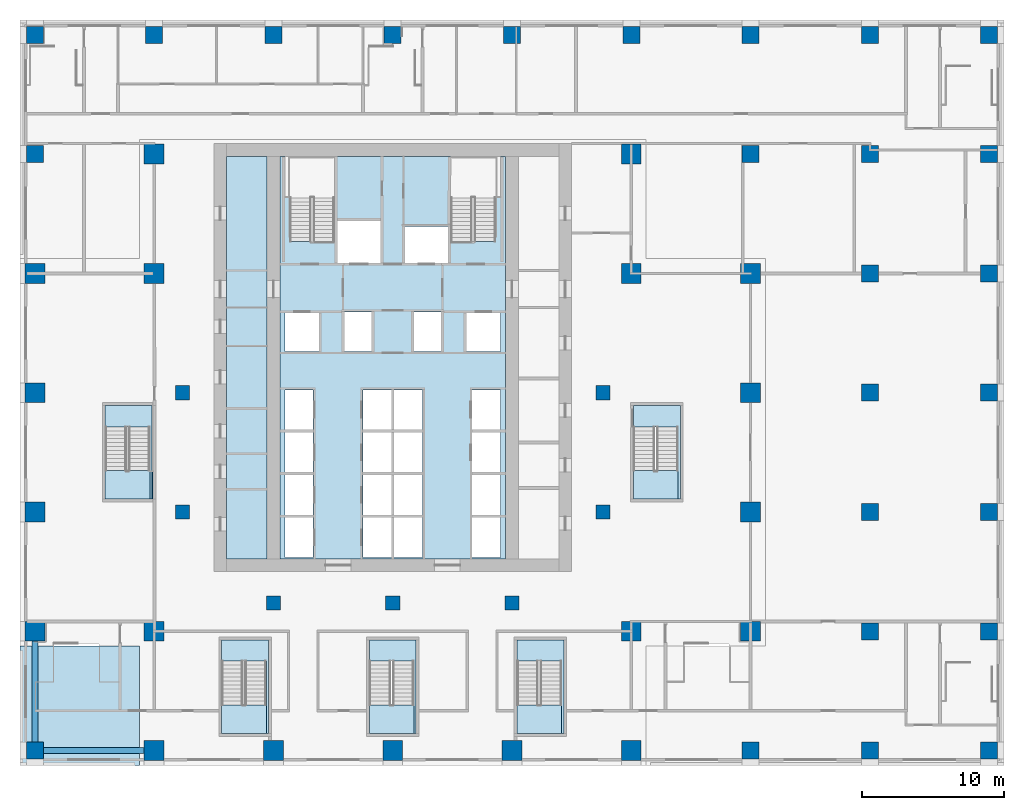
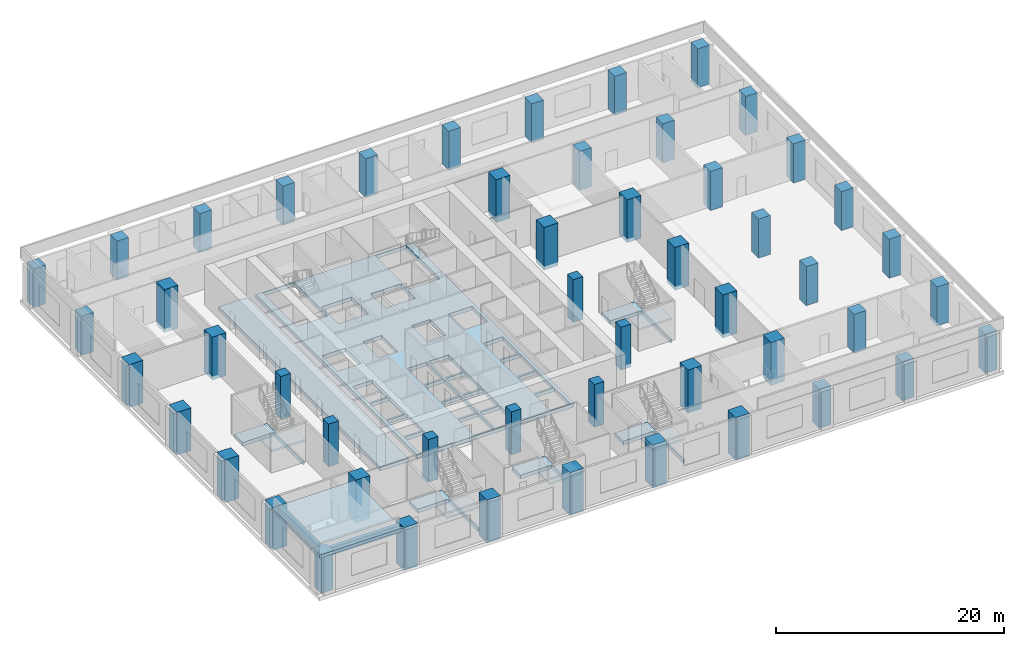
# One storey, part 1 of 16: 51 columns, 13 slabs, 2 beams, 5 elements without a shape of their own.
"""IFC4 building model written with IfcOpenShell, lengths in metres."""

from ifc_helpers import new_model, si_unit, direction, frame, origin, origin_2d, place, context, subcontext, project, spatial, polyline, rectangle, outline, extrude, material, layer, layer_set, material_profile, profile_set, type_object, element, aggregate, save


model = new_model("IFC4")

# Units and contexts
model_context = context("Model", 3, precision=1e-05, world=origin(), true_north=direction((0.0, 1.0)))
body_context = subcontext(model_context, "Body", "Model", "MODEL_VIEW")
ifc_project = project(units=[si_unit("LENGTHUNIT", "METRE"), si_unit("AREAUNIT", "SQUARE_METRE"), si_unit("VOLUMEUNIT", "CUBIC_METRE"), si_unit("PLANEANGLEUNIT", "RADIAN"), si_unit("MASSUNIT", "GRAM", prefix="KILO")], contexts=[model_context])

# Site, building, storey
site_placement = place(None, origin())
site = spatial("IfcSite", under=ifc_project, at=site_placement, CompositionType="ELEMENT")
building_placement = place(site_placement, origin())
building = spatial("IfcBuilding", under=site, at=building_placement, Name="Vermilion Ogive Tower", CompositionType="ELEMENT")
storey_placement = place(building_placement, frame((0.0, 0.0, 30.0)))
storey = spatial("IfcBuildingStorey", under=building, at=storey_placement, Name="L05", CompositionType="ELEMENT", Elevation=30.0)

# Columns
ifc_material_1 = material(Name="Concrete B80", Category="concrete")
ifc_material_profile_1 = material_profile(ifc_material_1, rectangle(XDim=1.39990234375, YDim=1.39990234375, at=origin_2d()), Name="1400 x 1400")
ifc_profile_set_1 = profile_set([ifc_material_profile_1], Name="Concrete B80")
column_type_1 = type_object("IfcColumnType", Name="Perimeter column 1400 x 1400 B80", PredefinedType="COLUMN", material=ifc_profile_set_1)
for number, where, z_axis, x_axis, name in (
    (1, (-16.800048828125, -21.0, -0.39990234375), (0.0, 0.0, 1.0), (1.0, 0.0, 0.0), "COL-L05-P-0168-210"),
    (2, (-8.39990234375, -21.0, -0.39990234375), (0.0, 0.0, 1.0), (1.0, 0.0, 0.0), "COL-L05-P-0084-210"),
    (3, (0.0, -21.0, -0.39990234375), (0.0, 0.0, 1.0), (1.0, 0.0, 0.0), "COL-L05-P+0000-210"),
    (4, (8.39990234375, -21.0, -0.39990234375), (0.0, 0.0, 1.0), (1.0, 0.0, 0.0), "COL-L05-P+0084-210"),
    (5, (16.800048828125, -21.0, -0.39990234375), (0.0, 0.0, 1.0), (1.0, 0.0, 0.0), "COL-L05-P+0168-210"),
    (6, (-25.199951171875, -12.60009765625, -0.39990234375), (0.0, 0.0, 1.0), (1.0, 0.0, 0.0), "COL-L05-P-0252-126"),
    (7, (-16.800048828125, -12.60009765625, -0.39990234375), (0.0, 0.0, 1.0), (1.0, 0.0, 0.0), "COL-L05-P-0168-126"),
    (8, (16.800048828125, -12.60009765625, -0.39990234375), (0.0, 0.0, 1.0), (1.0, 0.0, 0.0), "COL-L05-P+0168-126"),
    (9, (25.199951171875, -12.60009765625, -0.39990234375), (0.0, 0.0, 1.0), (1.0, 0.0, 0.0), "COL-L05-P+0252-126"),
    (10, (-25.199951171875, -4.199951171875, -0.39990234375), (0.0, 0.0, 1.0), (1.0, 0.0, 0.0), "COL-L05-P-0252-042"),
    (11, (25.199951171875, -4.199951171875, -0.39990234375), (0.0, 0.0, 1.0), (1.0, 0.0, 0.0), "COL-L05-P+0252-042"),
    (12, (-25.199951171875, 4.199951171875, -0.39990234375), (0.0, 0.0, 1.0), (1.0, 0.0, 0.0), "COL-L05-P-0252+042"),
    (13, (25.199951171875, 4.199951171875, -0.39990234375), (0.0, 0.0, 1.0), (1.0, 0.0, 0.0), "COL-L05-P+0252+042"),
    (14, (-25.199951171875, 12.60009765625, -0.39990234375), (0.0, 0.0, 1.0), (1.0, 0.0, 0.0), "COL-L05-P-0252+126"),
    (15, (-16.800048828125, 12.60009765625, -0.39990234375), (0.0, 0.0, 1.0), (1.0, 0.0, 0.0), "COL-L05-P-0168+126"),
    (16, (16.800048828125, 12.60009765625, -0.39990234375), (0.0, 0.0, 1.0), (1.0, 0.0, 0.0), "COL-L05-P+0168+126"),
    (17, (25.199951171875, 12.60009765625, -0.39990234375), (0.0, 0.0, 1.0), (1.0, 0.0, 0.0), "COL-L05-P+0252+126"),
    (18, (-16.800048828125, 21.0, -0.39990234375), (0.0, 0.0, 1.0), (1.0, 0.0, 0.0), "COL-L05-P-0168+210"),
    (19, (16.800048828125, 21.0, -0.39990234375), (0.0, 0.0, 1.0), (1.0, 0.0, 0.0), "COL-L05-P+0168+210"),
):
    element("IfcColumn", number, at=place(storey_placement, frame(where, z_axis=z_axis, x_axis=x_axis)), inside=storey, type_object=column_type_1, Name=name, PredefinedType="COLUMN", context=body_context, shape_type="SweptSolid", body=[
        extrude(rectangle(XDim=1.39990234375, YDim=1.39990234375, at=origin_2d()), origin(), (0.0, 0.0, 1.0), 4.579833984375),
    ])
ifc_material_2 = material(Name="Concrete B60", Category="concrete")
ifc_material_profile_2 = material_profile(ifc_material_2, rectangle(XDim=1.199951171875, YDim=1.199951171875, at=origin_2d()), Name="RC 1200x1200")
ifc_profile_set_2 = profile_set([ifc_material_profile_2], Name="Concrete B60")
column_type_2 = type_object("IfcColumnType", Name="Podium column RC 1200", PredefinedType="COLUMN", material=ifc_profile_set_2)
for number, where, z_axis, x_axis, name in (
    (20, (-25.199951171875, -21.0, 0.0), (0.0, 0.0, 1.0), (1.0, 0.0, 0.0), "Column 1.2 L05"),
    (21, (25.199951171875, -21.0, 0.0), (0.0, 0.0, 1.0), (1.0, 0.0, 0.0), "Column 1.2 L05"),
    (22, (33.60009765625, -21.0, 0.0), (0.0, 0.0, 1.0), (1.0, 0.0, 0.0), "Column 1.2 L05"),
    (23, (42.0, -21.0, 0.0), (0.0, 0.0, 1.0), (1.0, 0.0, 0.0), "Column 1.2 L05"),
    (24, (33.60009765625, -12.60009765625, 0.0), (0.0, 0.0, 1.0), (1.0, 0.0, 0.0), "Column 1.2 L05"),
    (25, (42.0, -12.60009765625, 0.0), (0.0, 0.0, 1.0), (1.0, 0.0, 0.0), "Column 1.2 L05"),
    (26, (33.60009765625, -4.199951171875, 0.0), (0.0, 0.0, 1.0), (1.0, 0.0, 0.0), "Column 1.2 L05"),
    (27, (42.0, -4.199951171875, 0.0), (0.0, 0.0, 1.0), (1.0, 0.0, 0.0), "Column 1.2 L05"),
    (28, (33.60009765625, 4.199951171875, 0.0), (0.0, 0.0, 1.0), (1.0, 0.0, 0.0), "Column 1.2 L05"),
    (29, (42.0, 4.199951171875, 0.0), (0.0, 0.0, 1.0), (1.0, 0.0, 0.0), "Column 1.2 L05"),
    (30, (33.60009765625, 12.60009765625, 0.0), (0.0, 0.0, 1.0), (1.0, 0.0, 0.0), "Column 1.2 L05"),
    (31, (42.0, 12.60009765625, 0.0), (0.0, 0.0, 1.0), (1.0, 0.0, 0.0), "Column 1.2 L05"),
    (32, (-25.199951171875, 21.0, 0.0), (0.0, 0.0, 1.0), (1.0, 0.0, 0.0), "Column 1.2 L05"),
    (33, (25.199951171875, 21.0, 0.0), (0.0, 0.0, 1.0), (1.0, 0.0, 0.0), "Column 1.2 L05"),
    (34, (33.60009765625, 21.0, 0.0), (0.0, 0.0, 1.0), (1.0, 0.0, 0.0), "Column 1.2 L05"),
    (35, (42.0, 21.0, 0.0), (0.0, 0.0, 1.0), (1.0, 0.0, 0.0), "Column 1.2 L05"),
    (36, (-25.199951171875, 29.39990234375, 0.0), (0.0, 0.0, 1.0), (1.0, 0.0, 0.0), "Column 1.2 L05"),
    (37, (-16.800048828125, 29.39990234375, 0.0), (0.0, 0.0, 1.0), (1.0, 0.0, 0.0), "Column 1.2 L05"),
    (38, (-8.39990234375, 29.39990234375, 0.0), (0.0, 0.0, 1.0), (1.0, 0.0, 0.0), "Column 1.2 L05"),
    (39, (0.0, 29.39990234375, 0.0), (0.0, 0.0, 1.0), (1.0, 0.0, 0.0), "Column 1.2 L05"),
    (40, (8.39990234375, 29.39990234375, 0.0), (0.0, 0.0, 1.0), (1.0, 0.0, 0.0), "Column 1.2 L05"),
    (41, (16.800048828125, 29.39990234375, 0.0), (0.0, 0.0, 1.0), (1.0, 0.0, 0.0), "Column 1.2 L05"),
    (42, (25.199951171875, 29.39990234375, 0.0), (0.0, 0.0, 1.0), (1.0, 0.0, 0.0), "Column 1.2 L05"),
    (43, (33.60009765625, 29.39990234375, 0.0), (0.0, 0.0, 1.0), (1.0, 0.0, 0.0), "Column 1.2 L05"),
    (44, (42.0, 29.39990234375, 0.0), (0.0, 0.0, 1.0), (1.0, 0.0, 0.0), "Column 1.2 L05"),
):
    element("IfcColumn", number, at=place(storey_placement, frame(where, z_axis=z_axis, x_axis=x_axis)), inside=storey, type_object=column_type_2, Name=name, PredefinedType="COLUMN", context=body_context, shape_type="SweptSolid", body=[
        extrude(rectangle(XDim=1.199951171875, YDim=1.199951171875, at=origin_2d()), origin(), (0.0, 0.0, 1.0), 4.179931640625),
    ])
ifc_material_3 = material(Name="Concrete B80", Category="concrete")
ifc_material_profile_3 = material_profile(ifc_material_3, rectangle(XDim=1.0, YDim=1.0, at=origin_2d()), Name="1000 x 1000")
ifc_profile_set_3 = profile_set([ifc_material_profile_3], Name="Concrete B80")
column_type_3 = type_object("IfcColumnType", Name="Ring column 1000 x 1000 B80", PredefinedType="COLUMN", material=ifc_profile_set_3)
for number, where, z_axis, x_axis, name in (
    (45, (-8.39990234375, -10.60009765625, -0.39990234375), (0.0, 0.0, 1.0), (1.0, 0.0, 0.0), "COL-L05-R-0084-106"),
    (46, (0.0, -10.60009765625, -0.39990234375), (0.0, 0.0, 1.0), (1.0, 0.0, 0.0), "COL-L05-R+0000-106"),
    (47, (8.39990234375, -10.60009765625, -0.39990234375), (0.0, 0.0, 1.0), (1.0, 0.0, 0.0), "COL-L05-R+0084-106"),
    (48, (-14.800048828125, -4.199951171875, -0.39990234375), (0.0, 0.0, 1.0), (1.0, 0.0, 0.0), "COL-L05-R-0148-042"),
    (49, (14.800048828125, -4.199951171875, -0.39990234375), (0.0, 0.0, 1.0), (1.0, 0.0, 0.0), "COL-L05-R+0148-042"),
    (50, (-14.800048828125, 4.199951171875, -0.39990234375), (0.0, 0.0, 1.0), (1.0, 0.0, 0.0), "COL-L05-R-0148+042"),
    (51, (14.800048828125, 4.199951171875, -0.39990234375), (0.0, 0.0, 1.0), (1.0, 0.0, 0.0), "COL-L05-R+0148+042"),
):
    element("IfcColumn", number, at=place(storey_placement, frame(where, z_axis=z_axis, x_axis=x_axis)), inside=storey, type_object=column_type_3, Name=name, PredefinedType="COLUMN", context=body_context, shape_type="SweptSolid", body=[
        extrude(rectangle(XDim=1.0, YDim=1.0, at=origin_2d()), origin(), (0.0, 0.0, 1.0), 4.579833984375),
    ])

# Beams
ifc_material_4 = material(Name="Concrete B45", Category="concrete")
ifc_material_profile_4 = material_profile(ifc_material_4, rectangle(XDim=0.39990234375, YDim=0.800048828125, at=origin_2d()), Name="RC 400x800")
ifc_profile_set_4 = profile_set([ifc_material_profile_4], Name="Concrete B45")
beam_type = type_object("IfcBeamType", Name="Terrace roof beam TB1 400x800", PredefinedType="BEAM", material=ifc_profile_set_4)
beam_1_placement = place(storey_placement, frame((-25.199951171875, -20.39990234375, 3.780029296875), z_axis=(0.0, 1.0, 0.0), x_axis=(-1.0, 0.0, 0.0)))
element("IfcBeam", 52, at=beam_1_placement, inside=storey, type_object=beam_type, Name="Terrace roof beam L05 1-1", PredefinedType="BEAM", context=body_context, shape_type="SweptSolid", body=[
    extrude(rectangle(XDim=0.39990234375, YDim=0.800048828125, at=origin_2d()), origin(), (0.0, 0.0, 1.0), 7.099853515625),
])
beam_2_placement = place(storey_placement, frame((-24.60009765625, -21.0, 3.780029296875), z_axis=(1.0, 0.0, 0.0), x_axis=(0.0, 1.0, 0.0)))
element("IfcBeam", 53, at=beam_2_placement, inside=storey, type_object=beam_type, Name="Terrace roof beam L05 1-2", PredefinedType="BEAM", context=body_context, shape_type="SweptSolid", body=[
    extrude(rectangle(XDim=0.39990234375, YDim=0.800048828125, at=origin_2d()), origin(), (0.0, 0.0, 1.0), 7.10009765625),
])

# Slabs
ifc_material_5 = material(Name="Concrete B40", Category="concrete")
ifc_layer_1 = layer(ifc_material_5, 0.39990234375)
ifc_layer_set_1 = layer_set([ifc_layer_1], Name="Core floor slab 400 B40")
slab_type_1 = type_object("IfcSlabType", Name="Core floor slab 400 B40", PredefinedType="FLOOR", material=ifc_layer_set_1)
slab_1_placement = place(storey_placement, frame((0.0, 0.0, -0.39990234375)))
element("IfcSlab", 54, at=slab_1_placement, inside=storey, type_object=slab_type_1, Name="L05-CK-FS1", PredefinedType="FLOOR", context=body_context, shape_type="SweptSolid", body=[
    extrude(outline(polyline([(-8.85400390625, -7.49609375), (-11.696044921875, -7.49609375), (-11.696044921875, 20.845947265625), (-8.85400390625, 20.845947265625), (-8.85400390625, -7.49609375)])), origin(), (0.0, 0.0, 1.0), 0.39990234375),
])
slab_2_placement = place(storey_placement, frame((0.0, 0.0, -0.39990234375)))
element("IfcSlab", 55, at=slab_2_placement, inside=storey, type_object=slab_type_1, Name="L05-CK-FS2", PredefinedType="FLOOR", context=body_context, shape_type="SweptSolid", body=[
    extrude(outline(polyline([(-7.946044921875, 20.845947265625), (-7.946044921875, -7.49609375), (7.946044921875, -7.49609375), (7.946044921875, 20.845947265625), (-7.946044921875, 20.845947265625)]), holes=[polyline([(-5.60009765625, -7.39990234375), (-7.60009765625, -7.39990234375), (-7.60009765625, -4.60009765625), (-5.60009765625, -4.60009765625), (-5.60009765625, -7.39990234375)]), polyline([(-0.10009765625, -7.39990234375), (-2.10009765625, -7.39990234375), (-2.10009765625, -4.60009765625), (-0.10009765625, -4.60009765625), (-0.10009765625, -7.39990234375)]), polyline([(-5.60009765625, -4.39990234375), (-7.60009765625, -4.39990234375), (-7.60009765625, -1.60009765625), (-5.60009765625, -1.60009765625), (-5.60009765625, -4.39990234375)]), polyline([(-0.10009765625, -4.39990234375), (-2.10009765625, -4.39990234375), (-2.10009765625, -1.60009765625), (-0.10009765625, -1.60009765625), (-0.10009765625, -4.39990234375)]), polyline([(-5.60009765625, -1.39990234375), (-7.60009765625, -1.39990234375), (-7.60009765625, 1.39990234375), (-5.60009765625, 1.39990234375), (-5.60009765625, -1.39990234375)]), polyline([(-0.10009765625, -1.39990234375), (-2.10009765625, -1.39990234375), (-2.10009765625, 1.39990234375), (-0.10009765625, 1.39990234375), (-0.10009765625, -1.39990234375)]), polyline([(-5.60009765625, 1.60009765625), (-7.60009765625, 1.60009765625), (-7.60009765625, 4.39990234375), (-5.60009765625, 4.39990234375), (-5.60009765625, 1.60009765625)]), polyline([(-0.10009765625, 1.60009765625), (-2.10009765625, 1.60009765625), (-2.10009765625, 4.39990234375), (-0.10009765625, 4.39990234375), (-0.10009765625, 1.60009765625)]), polyline([(-5.199951171875, 7.10009765625), (-7.60009765625, 7.10009765625), (-7.60009765625, 9.800048828125), (-5.199951171875, 9.800048828125), (-5.199951171875, 7.10009765625)]), polyline([(-1.5, 7.10009765625), (-3.39990234375, 7.10009765625), (-3.39990234375, 9.89990234375), (-1.5, 9.89990234375), (-1.5, 7.10009765625)]), polyline([(-0.85009765625, 13.35009765625), (-3.89990234375, 13.35009765625), (-3.89990234375, 16.300048828125), (-0.85009765625, 16.300048828125), (-0.85009765625, 13.35009765625)]), polyline([(-7.25, 14.85205078125), (-7.25, 20.75), (-4.10009765625, 20.75), (-4.10009765625, 14.85205078125), (-5.60009765625, 14.85205078125), (-5.60009765625, 14.85009765625), (-5.75, 14.85009765625), (-5.75, 14.85205078125), (-7.25, 14.85205078125)]), polyline([(2.10009765625, -7.39990234375), (0.10009765625, -7.39990234375), (0.10009765625, -4.60009765625), (2.10009765625, -4.60009765625), (2.10009765625, -7.39990234375)]), polyline([(7.60009765625, -7.39990234375), (5.60009765625, -7.39990234375), (5.60009765625, -4.60009765625), (7.60009765625, -4.60009765625), (7.60009765625, -7.39990234375)]), polyline([(2.10009765625, -4.39990234375), (0.10009765625, -4.39990234375), (0.10009765625, -1.60009765625), (2.10009765625, -1.60009765625), (2.10009765625, -4.39990234375)]), polyline([(5.60009765625, -4.39990234375), (5.60009765625, -1.60009765625), (7.60009765625, -1.60009765625), (7.60009765625, -4.39990234375), (5.60009765625, -4.39990234375)]), polyline([(2.10009765625, -1.39990234375), (0.10009765625, -1.39990234375), (0.10009765625, 1.39990234375), (2.10009765625, 1.39990234375), (2.10009765625, -1.39990234375)]), polyline([(7.60009765625, -1.39990234375), (5.60009765625, -1.39990234375), (5.60009765625, 1.39990234375), (7.60009765625, 1.39990234375), (7.60009765625, -1.39990234375)]), polyline([(7.60009765625, 1.60009765625), (5.60009765625, 1.60009765625), (5.60009765625, 4.39990234375), (7.60009765625, 4.39990234375), (7.60009765625, 1.60009765625)]), polyline([(2.10009765625, 1.60009765625), (0.10009765625, 1.60009765625), (0.10009765625, 4.39990234375), (2.10009765625, 4.39990234375), (2.10009765625, 1.60009765625)]), polyline([(7.60009765625, 7.10009765625), (5.199951171875, 7.10009765625), (5.199951171875, 9.800048828125), (7.60009765625, 9.800048828125), (7.60009765625, 7.10009765625)]), polyline([(3.39990234375, 7.10009765625), (1.5, 7.10009765625), (1.5, 9.89990234375), (3.39990234375, 9.89990234375), (3.39990234375, 7.10009765625)]), polyline([(3.89990234375, 13.35009765625), (0.85009765625, 13.35009765625), (0.85009765625, 15.89990234375), (3.89990234375, 15.89990234375), (3.89990234375, 13.35009765625)]), polyline([(5.75, 14.85009765625), (5.60009765625, 14.85009765625), (5.60009765625, 14.85205078125), (4.10009765625, 14.85205078125), (4.10009765625, 20.75), (7.25, 20.75), (7.25, 14.85205078125), (5.75, 14.85205078125), (5.75, 14.85009765625)])]), origin(), (0.0, 0.0, 1.0), 0.39990234375),
])
slab_3_placement = place(storey_placement, frame((0.0, 0.0, -0.39990234375)))
element("IfcSlab", 56, at=slab_3_placement, inside=storey, type_object=slab_type_1, Name="L05-SF-ST3-1", PredefinedType="FLOOR", context=body_context, shape_type="SweptSolid", body=[
    extrude(outline(polyline([(-12.050048828125, -13.199951171875), (-12.050048828125, -14.701904296875), (-10.550048828125, -14.701904296875), (-10.550048828125, -14.699951171875), (-10.39990234375, -14.699951171875), (-10.39990234375, -14.701904296875), (-8.89990234375, -14.701904296875), (-8.89990234375, -19.800048828125), (-8.75, -19.800048828125), (-8.75, -13.199951171875), (-12.050048828125, -13.199951171875)])), origin(), (0.0, 0.0, 1.0), 0.39990234375),
])
slab_4_placement = place(storey_placement, frame((0.0, 0.0, -0.39990234375)))
element("IfcSlab", 57, at=slab_4_placement, inside=storey, type_object=slab_type_1, Name="L05-SF-ST4-1", PredefinedType="FLOOR", context=body_context, shape_type="SweptSolid", body=[
    extrude(outline(polyline([(-1.64990234375, -13.199951171875), (-1.64990234375, -14.701904296875), (-0.14990234375, -14.701904296875), (-0.14990234375, -14.699951171875), (0.0, -14.699951171875), (0.0, -14.701904296875), (1.5, -14.701904296875), (1.5, -19.800048828125), (1.64990234375, -19.800048828125), (1.64990234375, -13.199951171875), (-1.64990234375, -13.199951171875)])), origin(), (0.0, 0.0, 1.0), 0.39990234375),
])
slab_5_placement = place(storey_placement, frame((0.0, 0.0, -0.39990234375)))
element("IfcSlab", 58, at=slab_5_placement, inside=storey, type_object=slab_type_1, Name="L05-SF-ST5-1", PredefinedType="FLOOR", context=body_context, shape_type="SweptSolid", body=[
    extrude(outline(polyline([(8.75, -13.199951171875), (8.75, -14.701904296875), (10.25, -14.701904296875), (10.25, -14.699951171875), (10.39990234375, -14.699951171875), (10.39990234375, -14.701904296875), (11.89990234375, -14.701904296875), (11.89990234375, -19.800048828125), (12.050048828125, -19.800048828125), (12.050048828125, -13.199951171875), (8.75, -13.199951171875)])), origin(), (0.0, 0.0, 1.0), 0.39990234375),
])
slab_6_placement = place(storey_placement, frame((0.0, 0.0, -0.39990234375)))
element("IfcSlab", 59, at=slab_6_placement, inside=storey, type_object=slab_type_1, Name="L05-SF-ST8-1", PredefinedType="FLOOR", context=body_context, shape_type="SweptSolid", body=[
    extrude(outline(polyline([(16.949951171875, 3.300048828125), (16.949951171875, 1.798095703125), (18.449951171875, 1.798095703125), (18.449951171875, 1.800048828125), (18.60009765625, 1.800048828125), (18.60009765625, 1.798095703125), (20.10009765625, 1.798095703125), (20.10009765625, -3.300048828125), (20.25, -3.300048828125), (20.25, 3.300048828125), (16.949951171875, 3.300048828125)])), origin(), (0.0, 0.0, 1.0), 0.39990234375),
])
slab_7_placement = place(storey_placement, frame((0.0, 0.0, -0.39990234375)))
element("IfcSlab", 60, at=slab_7_placement, inside=storey, type_object=slab_type_1, Name="L05-SF-ST9-1", PredefinedType="FLOOR", context=body_context, shape_type="SweptSolid", body=[
    extrude(outline(polyline([(-20.25, 3.300048828125), (-20.25, 1.798095703125), (-18.75, 1.798095703125), (-18.75, 1.800048828125), (-18.60009765625, 1.800048828125), (-18.60009765625, 1.798095703125), (-17.10009765625, 1.798095703125), (-17.10009765625, -3.300048828125), (-16.949951171875, -3.300048828125), (-16.949951171875, 3.300048828125), (-20.25, 3.300048828125)])), origin(), (0.0, 0.0, 1.0), 0.39990234375),
])
ifc_material_6 = material(Name="Concrete B45", Category="concrete")
ifc_layer_2 = layer(ifc_material_6, 0.320068359375)
ifc_layer_set_2 = layer_set([ifc_layer_2], Name="Podium roof slab 320")
slab_type_2 = type_object("IfcSlabType", Name="Podium roof slab 320", PredefinedType="ROOF", material=ifc_layer_set_2)
slab_8_placement = place(storey_placement, frame((0.0, 0.0, 4.179931640625)))
element("IfcSlab", 61, at=slab_8_placement, inside=storey, type_object=slab_type_2, Name="L05 terrace roof 1", PredefinedType="ROOF", context=body_context, shape_type="SweptSolid", body=[
    extrude(outline(polyline([(-26.25, -13.65087890625), (-26.25, -22.050048828125), (-17.85107421875, -22.050048828125), (-17.85107421875, -13.65087890625), (-26.25, -13.65087890625)])), origin(), (0.0, 0.0, 1.0), 0.320068359375),
])

# Stair, slab
ifc_material_7 = material(Name="Concrete B40", Category="concrete")
stair_type = type_object("IfcStairType", Name="Exit stair 1500", PredefinedType="HALF_TURN_STAIR", material=ifc_material_7)
stair_1_placement = place(storey_placement, origin())
stair_1 = element("IfcStair", 62, at=stair_1_placement, inside=storey, type_object=stair_type, Name="L05 Exit Stair ST3", PredefinedType="HALF_TURN_STAIR")
ifc_material_8 = material(Name="Concrete B40", Category="concrete")
ifc_layer_3 = layer(ifc_material_8, 0.199951171875)
ifc_layer_set_3 = layer_set([ifc_layer_3], Name="Stair landing 200")
slab_type_3 = type_object("IfcSlabType", Name="Stair landing 200", PredefinedType="LANDING", material=ifc_layer_set_3)
slab_9_placement = place(storey_placement, frame((0.0, 0.0, 2.050048828125)))
slab_9 = element("IfcSlab", 63, at=slab_9_placement, type_object=slab_type_3, Name="ST3 landing 1", PredefinedType="LANDING", context=body_context, shape_type="SweptSolid", body=[
    extrude(outline(polyline([(-8.75, -17.780029296875), (-8.89990234375, -17.780029296875), (-8.89990234375, -17.778076171875), (-10.39990234375, -17.778076171875), (-10.39990234375, -17.780029296875), (-10.550048828125, -17.780029296875), (-10.550048828125, -17.778076171875), (-12.050048828125, -17.778076171875), (-12.050048828125, -19.800048828125), (-8.75, -19.800048828125), (-8.75, -17.780029296875)])), origin(), (0.0, 0.0, 1.0), 0.199951171875),
])
aggregate(stair_1, [slab_9])

stair_2_placement = place(storey_placement, origin())
stair_2 = element("IfcStair", 64, at=stair_2_placement, inside=storey, type_object=stair_type, Name="L05 Exit Stair ST4", PredefinedType="HALF_TURN_STAIR")
slab_10_placement = place(storey_placement, frame((0.0, 0.0, 2.050048828125)))
slab_10 = element("IfcSlab", 65, at=slab_10_placement, type_object=slab_type_3, Name="ST4 landing 1", PredefinedType="LANDING", context=body_context, shape_type="SweptSolid", body=[
    extrude(outline(polyline([(1.64990234375, -17.780029296875), (1.5, -17.780029296875), (1.5, -17.778076171875), (0.0, -17.778076171875), (0.0, -17.780029296875), (-0.14990234375, -17.780029296875), (-0.14990234375, -17.778076171875), (-1.64990234375, -17.778076171875), (-1.64990234375, -19.800048828125), (1.64990234375, -19.800048828125), (1.64990234375, -17.780029296875)])), origin(), (0.0, 0.0, 1.0), 0.199951171875),
])
aggregate(stair_2, [slab_10])

stair_3_placement = place(storey_placement, origin())
stair_3 = element("IfcStair", 66, at=stair_3_placement, inside=storey, type_object=stair_type, Name="L05 Exit Stair ST5", PredefinedType="HALF_TURN_STAIR")
slab_11_placement = place(storey_placement, frame((0.0, 0.0, 2.050048828125)))
slab_11 = element("IfcSlab", 67, at=slab_11_placement, type_object=slab_type_3, Name="ST5 landing 1", PredefinedType="LANDING", context=body_context, shape_type="SweptSolid", body=[
    extrude(outline(polyline([(12.050048828125, -17.780029296875), (11.89990234375, -17.780029296875), (11.89990234375, -17.778076171875), (10.39990234375, -17.778076171875), (10.39990234375, -17.780029296875), (10.25, -17.780029296875), (10.25, -17.778076171875), (8.75, -17.778076171875), (8.75, -19.800048828125), (12.050048828125, -19.800048828125), (12.050048828125, -17.780029296875)])), origin(), (0.0, 0.0, 1.0), 0.199951171875),
])
aggregate(stair_3, [slab_11])

stair_4_placement = place(storey_placement, origin())
stair_4 = element("IfcStair", 68, at=stair_4_placement, inside=storey, type_object=stair_type, Name="L05 Exit Stair ST8", PredefinedType="HALF_TURN_STAIR")
slab_12_placement = place(storey_placement, frame((0.0, 0.0, 2.050048828125)))
slab_12 = element("IfcSlab", 69, at=slab_12_placement, type_object=slab_type_3, Name="ST8 landing 1", PredefinedType="LANDING", context=body_context, shape_type="SweptSolid", body=[
    extrude(outline(polyline([(20.25, -1.280029296875), (20.10009765625, -1.280029296875), (20.10009765625, -1.278076171875), (18.60009765625, -1.278076171875), (18.60009765625, -1.280029296875), (18.449951171875, -1.280029296875), (18.449951171875, -1.278076171875), (16.949951171875, -1.278076171875), (16.949951171875, -3.300048828125), (20.25, -3.300048828125), (20.25, -1.280029296875)])), origin(), (0.0, 0.0, 1.0), 0.199951171875),
])
aggregate(stair_4, [slab_12])

stair_5_placement = place(storey_placement, origin())
stair_5 = element("IfcStair", 70, at=stair_5_placement, inside=storey, type_object=stair_type, Name="L05 Exit Stair ST9", PredefinedType="HALF_TURN_STAIR")
slab_13_placement = place(storey_placement, frame((0.0, 0.0, 2.050048828125)))
slab_13 = element("IfcSlab", 71, at=slab_13_placement, type_object=slab_type_3, Name="ST9 landing 1", PredefinedType="LANDING", context=body_context, shape_type="SweptSolid", body=[
    extrude(outline(polyline([(-16.875, -1.280029296875), (-17.10009765625, -1.280029296875), (-17.10009765625, -1.278076171875), (-18.60009765625, -1.278076171875), (-18.60009765625, -1.280029296875), (-18.75, -1.280029296875), (-18.75, -1.278076171875), (-20.25, -1.278076171875), (-20.25, -3.300048828125), (-16.875, -3.300048828125), (-16.875, -1.280029296875)])), origin(), (0.0, 0.0, 1.0), 0.199951171875),
])
aggregate(stair_5, [slab_13])

save(model, "model.ifc")
